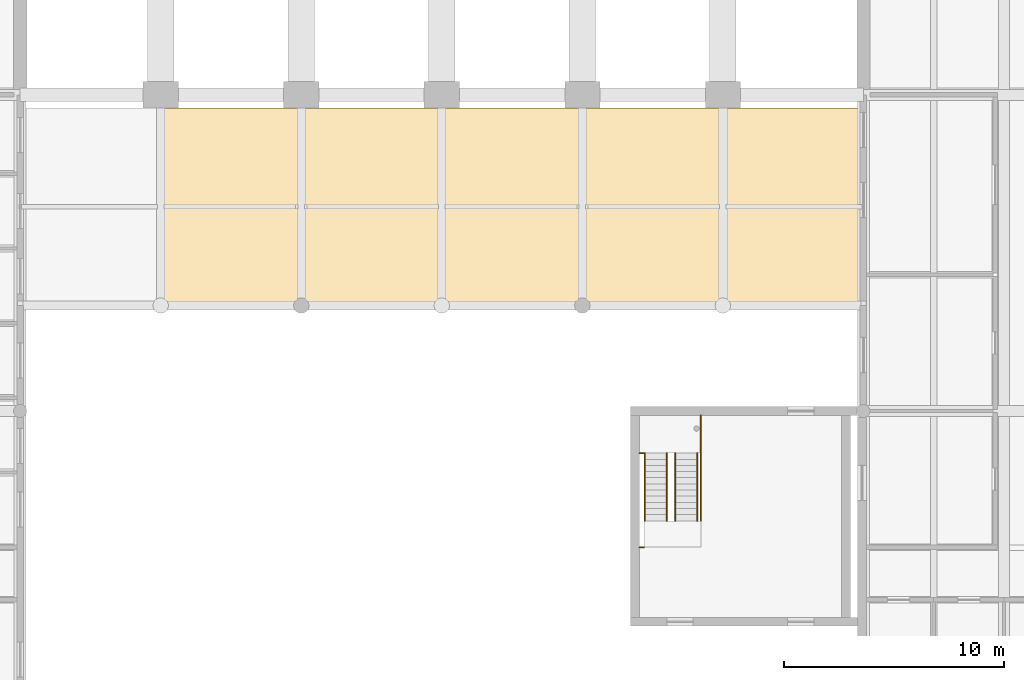
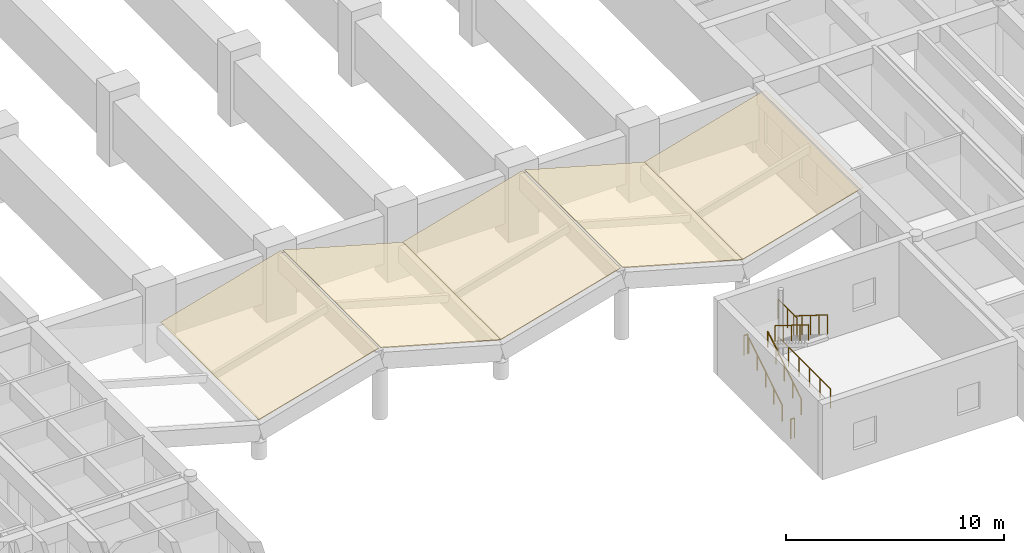
# One storey, part 16 of 19: 8 railings, 5 coverings.
"""IFC4 building model written with IfcOpenShell, lengths in metres."""

from ifc_helpers import new_model, si_unit, direction, frame, origin, origin_2d, place, context, subcontext, project, spatial, polyline, circle, outline, extrude, material, layer, layer_set, type_object, element, save


model = new_model("IFC4")

# Units and contexts
model_context = context("Model", 3, precision=1e-05, world=origin(), true_north=direction((0.0, 1.0)))
body_context = subcontext(model_context, "Body", "Model", "MODEL_VIEW")
ifc_project = project(units=[si_unit("LENGTHUNIT", "METRE"), si_unit("AREAUNIT", "SQUARE_METRE"), si_unit("VOLUMEUNIT", "CUBIC_METRE"), si_unit("PLANEANGLEUNIT", "RADIAN"), si_unit("MASSUNIT", "GRAM", prefix="KILO")], contexts=[model_context])

# Site, building, storey
site_placement = place(None, origin())
site = spatial("IfcSite", under=ifc_project, at=site_placement, CompositionType="ELEMENT")
building_placement = place(site_placement, origin())
building = spatial("IfcBuilding", under=site, at=building_placement, Name="Fogon Plaza Fire Station and Headquarters Tower", CompositionType="ELEMENT")
storey_placement = place(building_placement, frame((0.0, 0.0, 4.199951171875)))
storey = spatial("IfcBuildingStorey", under=building, at=storey_placement, Name="L01", CompositionType="ELEMENT", Elevation=4.199951171875)

# Coverings
ifc_material_1 = material(Name="Single-ply roofing membrane")
ifc_layer = layer(ifc_material_1, 0.02490234375)
ifc_layer_set = layer_set([ifc_layer], Name="Single-ply roofing membrane")
covering_type = type_object("IfcCoveringType", Name="Canopy Roofing Membrane 25", PredefinedType="ROOFING", material=ifc_layer_set)
covering_1_placement = place(storey_placement, frame((31.9931640625, 28.199951171875, 2.024169921875), z_axis=(-0.27072949786, 0.0, 0.962655462244), x_axis=(0.962655462244, 0.0, 0.27072949786)))
element("IfcCovering", 1, at=covering_1_placement, inside=storey, type_object=covering_type, Name="Roofing RM1 canopy-rear-2", PredefinedType="ROOFING", context=body_context, shape_type="SweptSolid", body=[
    extrude(outline(polyline([(0.0, 0.0), (6.595677771955884, 0.0), (6.595677771955884, -9.0), (0.0, -9.0), (0.0, 0.0)])), origin(), (0.0, 0.0, -1.0), 0.02490234375),
])
covering_2_placement = place(storey_placement, frame((38.457275390625, 28.199951171875, 3.809814453125), z_axis=(0.270719851306, 0.0, 0.962658175111), x_axis=(0.962658175111, 0.0, -0.270719851306)))
element("IfcCovering", 2, at=covering_2_placement, inside=storey, type_object=covering_type, Name="Roofing RM1 canopy-rear-3", PredefinedType="ROOFING", context=body_context, shape_type="SweptSolid", body=[
    extrude(outline(polyline([(0.0, 0.0), (6.595912795593263, 0.0), (6.595912795593263, -9.000000000000002), (0.0, -9.000000000000002), (0.0, 0.0)])), origin(), (0.0, 0.0, -1.0), 0.02490234375),
])
for number, where, z_axis, x_axis, name in (
    (3, (44.793212890625, 28.199951171875, 2.024169921875), (-0.27072949786, 0.0, 0.962655462244), (0.962655462244, 0.0, 0.27072949786), "Roofing RM1 canopy-rear-4"),
    (4, (51.25732421875, 28.199951171875, 3.809814453125), (0.27072949786, 0.0, 0.962655462244), (0.962655462244, 0.0, -0.27072949786), "Roofing RM1 canopy-rear-5"),
):
    element("IfcCovering", number, at=place(storey_placement, frame(where, z_axis=z_axis, x_axis=x_axis)), inside=storey, type_object=covering_type, Name=name, PredefinedType="ROOFING", context=body_context, shape_type="SweptSolid", body=[
        extrude(outline(polyline([(0.0, 0.0), (6.595677771955884, 0.0), (6.595677771955884, -9.0), (0.0, -9.0), (0.0, 0.0)])), origin(), (0.0, 0.0, -1.0), 0.02490234375),
    ])
covering_3_placement = place(storey_placement, frame((57.59326171875, 28.199951171875, 2.024169921875), z_axis=(-0.27075621152, 0.0, 0.962647949109), x_axis=(0.962647949109, 0.0, 0.27075621152)))
element("IfcCovering", 5, at=covering_3_placement, inside=storey, type_object=covering_type, Name="Roofing RM1 canopy-rear-6", PredefinedType="ROOFING", context=body_context, shape_type="SweptSolid", body=[
    extrude(outline(polyline([(0.0, 0.0), (6.648227266961541, 0.0), (6.648227266961541, -8.999999999999998), (0.0, -8.999999999999998), (0.0, 0.0)])), origin(), (0.0, 0.0, -1.0), 0.02490234375),
])

# Railings
ifc_material_2 = material(Name="Stainless Steel", Category="steel")
railing_type_1 = type_object("IfcRailingType", Name="Guard Steel 1100", PredefinedType="GUARDRAIL", material=ifc_material_2)
railing_1_placement = place(storey_placement, frame((56.60009765625, 9.39990234375, 0.0)))
element("IfcRailing", 6, at=railing_1_placement, inside=storey, type_object=railing_type_1, Name="rail-DT1-L01-edge", PredefinedType="GUARDRAIL", context=body_context, shape_type="SweptSolid", body=[
    extrude(circle(Radius=0.02392578125, at=origin_2d()), frame((0.0, 0.0, 1.076171875), z_axis=(0.0, 1.0, 0.0), x_axis=(-1.0, 0.0, 0.0)), (0.0, 0.0, 1.0), 4.800048828125),
    extrude(circle(Radius=0.02099609375, at=origin_2d()), origin(), (0.0, 0.0, 1.0), 1.052001953125),
    extrude(circle(Radius=0.02099609375, at=origin_2d()), frame((0.0, 0.9599609375, 0.0)), (0.0, 0.0, 1.0), 1.052001953125),
    extrude(circle(Radius=0.02099609375, at=origin_2d()), frame((0.0, 1.919921875, 0.0)), (0.0, 0.0, 1.0), 1.052001953125),
    extrude(circle(Radius=0.02099609375, at=origin_2d()), frame((0.0, 2.880126953125, 0.0)), (0.0, 0.0, 1.0), 1.052001953125),
    extrude(circle(Radius=0.02099609375, at=origin_2d()), frame((0.0, 3.840087890625, 0.0)), (0.0, 0.0, 1.0), 1.052001953125),
    extrude(circle(Radius=0.02099609375, at=origin_2d()), frame((0.0, 4.800048828125, 0.0)), (0.0, 0.0, 1.0), 1.052001953125),
])
railing_2_placement = place(storey_placement, frame((53.800048828125, 8.199951171875, 0.0)))
element("IfcRailing", 7, at=railing_2_placement, inside=storey, type_object=railing_type_1, Name="rail-DT1-L01-slotmouth", PredefinedType="GUARDRAIL", context=body_context, shape_type="SweptSolid", body=[
    extrude(circle(Radius=0.02392578125, at=origin_2d()), frame((0.0, 0.0, 1.076171875), z_axis=(1.0, 0.0, 0.0), x_axis=(0.0, 1.0, 0.0)), (0.0, 0.0, 1.0), 0.199951171875),
    extrude(circle(Radius=0.02099609375, at=origin_2d()), origin(), (0.0, 0.0, 1.0), 1.052001953125),
    extrude(circle(Radius=0.02099609375, at=origin_2d()), frame((0.199951171875, 0.0, 0.0)), (0.0, 0.0, 1.0), 1.052001953125),
])
railing_3_placement = place(storey_placement, frame((56.429931640625, 12.47998046875, 2.275146484375)))
element("IfcRailing", 8, at=railing_3_placement, inside=storey, type_object=railing_type_1, Name="rail-DT1-L01-4", PredefinedType="GUARDRAIL", context=body_context, shape_type="SweptSolid", body=[
    extrude(circle(Radius=0.02392578125, at=origin_2d()), frame((0.0, 0.0, 1.076171875), z_axis=(0.0, -0.848028513186, 0.529950602248), x_axis=(1.0, 0.0, 0.0)), (0.0, 0.0, 1.0), 3.632080078125),
    extrude(circle(Radius=0.02099609375, at=origin_2d()), origin(), (0.0, 0.0, 1.0), 1.052001953125),
    extrude(circle(Radius=0.02099609375, at=origin_2d()), frame((0.0, -0.77001953125, 0.481201171875)), (0.0, 0.0, 1.0), 1.052001953125),
    extrude(circle(Radius=0.02099609375, at=origin_2d()), frame((0.0, -1.5400390625, 0.96240234375)), (0.0, 0.0, 1.0), 1.052001953125),
    extrude(circle(Radius=0.02099609375, at=origin_2d()), frame((0.0, -2.31005859375, 1.443603515625)), (0.0, 0.0, 1.0), 1.052001953125),
    extrude(circle(Radius=0.02099609375, at=origin_2d()), frame((0.0, -3.080078125, 1.9248046875)), (0.0, 0.0, 1.0), 1.052001953125),
])
railing_4_placement = place(storey_placement, frame((56.60009765625, 12.47998046875, 2.10009765625)))
element("IfcRailing", 9, at=railing_4_placement, inside=storey, type_object=railing_type_1, Name="rail-DT1-L01-half", PredefinedType="GUARDRAIL", context=body_context, shape_type="SweptSolid", body=[
    extrude(circle(Radius=0.02392578125, at=origin_2d()), frame((0.0, 0.0, 1.076171875), z_axis=(0.0, 1.0, 0.0), x_axis=(-1.0, 0.0, 0.0)), (0.0, 0.0, 1.0), 1.719970703125),
    extrude(circle(Radius=0.02099609375, at=origin_2d()), origin(), (0.0, 0.0, 1.0), 1.052001953125),
    extrude(circle(Radius=0.02099609375, at=origin_2d()), frame((0.0, 0.85986328125, 0.0)), (0.0, 0.0, 1.0), 1.052001953125),
    extrude(circle(Radius=0.02099609375, at=origin_2d()), frame((0.0, 1.719970703125, 0.0)), (0.0, 0.0, 1.0), 1.052001953125),
])
railing_5_placement = place(storey_placement, frame((53.800048828125, 12.47998046875, 2.10009765625)))
element("IfcRailing", 10, at=railing_5_placement, inside=storey, type_object=railing_type_1, Name="rail-DT1-L01-slot", PredefinedType="GUARDRAIL", context=body_context, shape_type="SweptSolid", body=[
    extrude(circle(Radius=0.02392578125, at=origin_2d()), frame((0.0, 0.0, 1.076171875), z_axis=(1.0, 0.0, 0.0), x_axis=(0.0, 1.0, 0.0)), (0.0, 0.0, 1.0), 0.199951171875),
    extrude(circle(Radius=0.02099609375, at=origin_2d()), origin(), (0.0, 0.0, 1.0), 1.052001953125),
    extrude(circle(Radius=0.02099609375, at=origin_2d()), frame((0.199951171875, 0.0, 0.0)), (0.0, 0.0, 1.0), 1.052001953125),
])
ifc_material_3 = material(Name="Stainless Steel", Category="steel")
railing_type_2 = type_object("IfcRailingType", Name="Stair Handrail Steel 900", PredefinedType="HANDRAIL", material=ifc_material_3)
for number, where, name in (
    (11, (54.050048828125, 9.39990234375, 0.175048828125), "rail-DT1-L01-1"),
    (12, (55.050048828125, 9.39990234375, 0.175048828125), "rail-DT1-L01-2"),
):
    element("IfcRailing", number, at=place(storey_placement, frame(where)), inside=storey, type_object=railing_type_2, Name=name, PredefinedType="HANDRAIL", context=body_context, shape_type="SweptSolid", body=[
        extrude(circle(Radius=0.02392578125, at=origin_2d()), frame((0.0, 0.0, 0.8759765625), z_axis=(0.0, 0.847998304005, 0.529998940003), x_axis=(-1.0, 0.0, 0.0)), (0.0, 0.0, 1.0), 3.632080078125),
        extrude(circle(Radius=0.02099609375, at=origin_2d()), origin(), (0.0, 0.0, 1.0), 0.851806640625),
        extrude(circle(Radius=0.02099609375, at=origin_2d()), frame((0.0, 0.77001953125, 0.481201171875)), (0.0, 0.0, 1.0), 0.851806640625),
        extrude(circle(Radius=0.02099609375, at=origin_2d()), frame((0.0, 1.5400390625, 0.96240234375)), (0.0, 0.0, 1.0), 0.851806640625),
        extrude(circle(Radius=0.02099609375, at=origin_2d()), frame((0.0, 2.31005859375, 1.44384765625)), (0.0, 0.0, 1.0), 0.851806640625),
        extrude(circle(Radius=0.02099609375, at=origin_2d()), frame((0.0, 3.080078125, 1.925048828125)), (0.0, 0.0, 1.0), 0.851806640625),
    ])
railing_6_placement = place(storey_placement, frame((55.429931640625, 12.47998046875, 2.275146484375)))
element("IfcRailing", 13, at=railing_6_placement, inside=storey, type_object=railing_type_2, Name="rail-DT1-L01-3", PredefinedType="HANDRAIL", context=body_context, shape_type="SweptSolid", body=[
    extrude(circle(Radius=0.02392578125, at=origin_2d()), frame((0.0, 0.0, 0.8759765625), z_axis=(0.0, -0.848028513186, 0.529950602248), x_axis=(1.0, 0.0, 0.0)), (0.0, 0.0, 1.0), 3.632080078125),
    extrude(circle(Radius=0.02099609375, at=origin_2d()), origin(), (0.0, 0.0, 1.0), 0.851806640625),
    extrude(circle(Radius=0.02099609375, at=origin_2d()), frame((0.0, -0.77001953125, 0.481201171875)), (0.0, 0.0, 1.0), 0.851806640625),
    extrude(circle(Radius=0.02099609375, at=origin_2d()), frame((0.0, -1.5400390625, 0.96240234375)), (0.0, 0.0, 1.0), 0.851806640625),
    extrude(circle(Radius=0.02099609375, at=origin_2d()), frame((0.0, -2.31005859375, 1.443603515625)), (0.0, 0.0, 1.0), 0.851806640625),
    extrude(circle(Radius=0.02099609375, at=origin_2d()), frame((0.0, -3.080078125, 1.9248046875)), (0.0, 0.0, 1.0), 0.851806640625),
])

save(model, "model.ifc")
